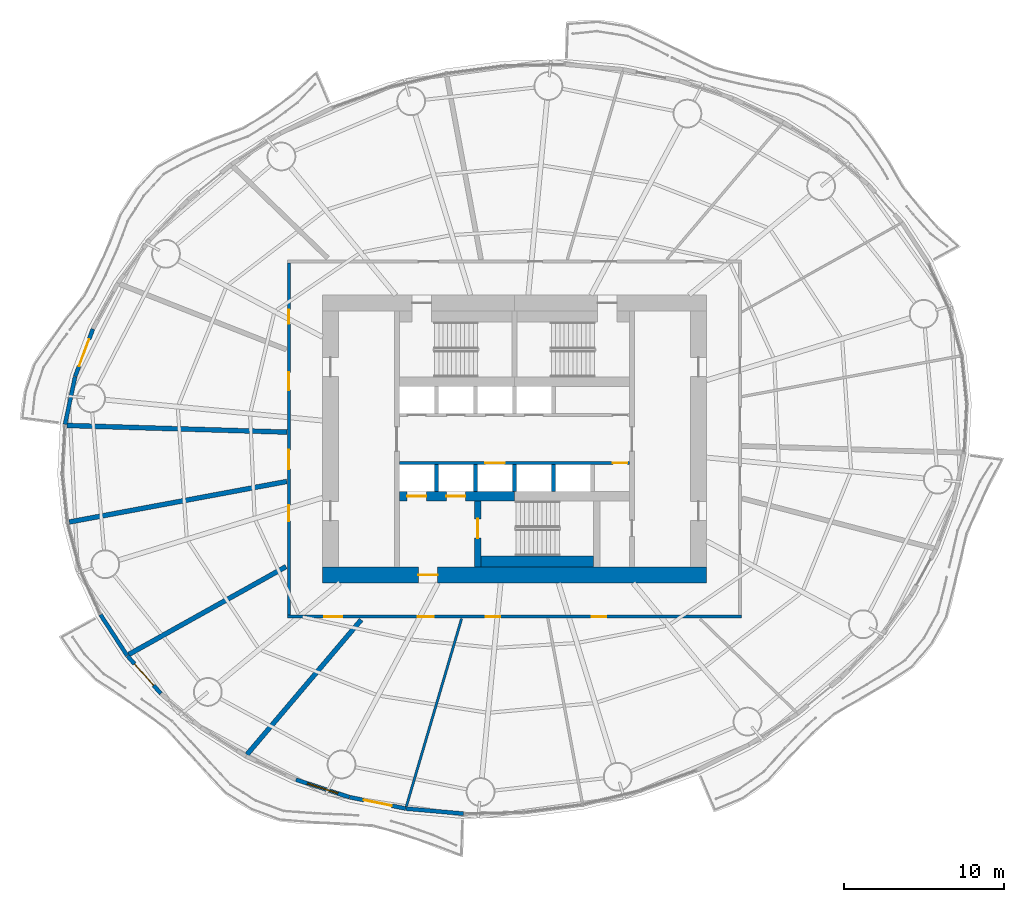
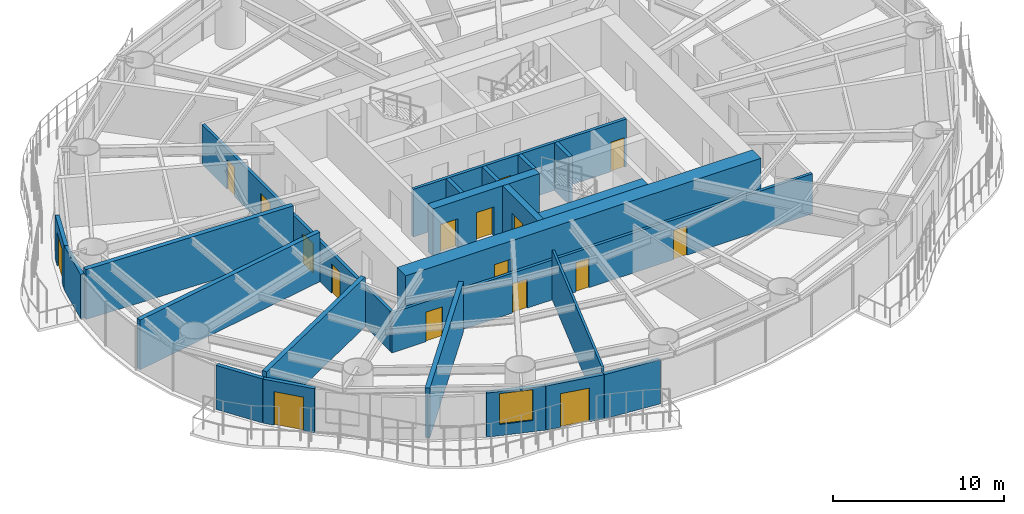
# One storey, part 8 of 17: 23 walls, 17 doors, 1 window, 18 openings.
"""IFC4 building model written with IfcOpenShell, lengths in metres."""

from ifc_helpers import new_model, si_unit, direction, frame, frame_2d, origin, place, context, subcontext, project, spatial, rectangle, extrude, material, layer, layer_set, type_object, element, fill, save


model = new_model("IFC4")

# Units and contexts
model_context = context("Model", 3, precision=1e-05, world=origin(), true_north=direction((0.0, 1.0)))
body_context = subcontext(model_context, "Body", "Model", "MODEL_VIEW")
ifc_project = project(units=[si_unit("LENGTHUNIT", "METRE"), si_unit("AREAUNIT", "SQUARE_METRE"), si_unit("VOLUMEUNIT", "CUBIC_METRE"), si_unit("PLANEANGLEUNIT", "RADIAN"), si_unit("MASSUNIT", "GRAM", prefix="KILO")], contexts=[model_context])

# Site, building, storey
site_placement = place(None, origin())
site = spatial("IfcSite", under=ifc_project, at=site_placement, CompositionType="ELEMENT")
building_placement = place(site_placement, origin())
building = spatial("IfcBuilding", under=site, at=building_placement, Name="Vermilion Reach Broadcast Tower", CompositionType="ELEMENT")
storey_placement = place(building_placement, frame((0.0, 0.0, 76.699951171875)))
storey = spatial("IfcBuildingStorey", under=building, at=storey_placement, Name="L16", CompositionType="ELEMENT", Elevation=76.699951171875)

# Wall, opening, door
ifc_material_1 = material(Name="Concrete C70", Category="concrete")
ifc_layer_1 = layer(ifc_material_1, 0.39990234375)
ifc_layer_set_1 = layer_set([ifc_layer_1], Name="Core inner wall 400 mm Concrete C70")
wall_type_1 = type_object("IfcWallType", Name="Core inner wall 400 mm Concrete C70", PredefinedType="SHEAR", material=ifc_layer_set_1)
wall_1_placement = place(storey_placement, frame((-8.300048828125, -3.8798828125, 0.0), z_axis=(0.0, 0.0, 1.0), x_axis=(0.0, -1.0, 0.0)))
wall_1 = element("IfcWall", 1, at=wall_1_placement, inside=storey, type_object=wall_type_1, Name="L16 core wall wa", PredefinedType="SHEAR", context=body_context, shape_type="SweptSolid", body=[
    extrude(rectangle(XDim=4.1201171875, YDim=0.39990234375, at=frame_2d((2.06005859375, 0.0))), origin(), (0.0, 0.0, 1.0), 3.400146484375),
])
opening_1_placement = place(wall_1_placement, frame((1.110107421875, 0.0, 0.0)))
opening_1 = element("IfcOpeningElement", 2, at=opening_1_placement, cuts=wall_1, Name="Opening D01", PredefinedType="OPENING", context=body_context, shape_type="SweptSolid", body=[
    extrude(rectangle(XDim=1.199951171875, YDim=2.10009765625, at=frame_2d((0.60009765625, 1.050048828125))), frame((0.0, 0.2099609375, 0.0), z_axis=(0.0, -1.0, 0.0), x_axis=(1.0, 0.0, 0.0)), (0.0, 0.0, 1.0), 0.419921875),
])
ifc_material_2 = material(Name="Painted steel fire door", Category="steel")
door_type_1 = type_object("IfcDoorType", Name="Stair door 1200 x 2100", OperationType="DOUBLE_DOOR_SINGLE_SWING", PredefinedType="NOTDEFINED", material=ifc_material_2)
door_1_placement = place(opening_1_placement, origin())
door_1 = element("IfcDoor", 3, at=door_1_placement, inside=storey, type_object=door_type_1, Name="L16 stair door ST3", OperationType="DOUBLE_DOOR_SINGLE_SWING", OverallHeight=2.10009765625, OverallWidth=1.199951171875, PredefinedType="NOTDEFINED", context=body_context, shape_type="SweptSolid", body=[
    extrude(rectangle(XDim=1.199951171875, YDim=2.10009765625, at=frame_2d((0.60009765625, 1.050048828125))), frame((0.0, 0.02490234375, 0.0), z_axis=(0.0, -1.0, 0.0), x_axis=(1.0, 0.0, 0.0)), (0.0, 0.0, 1.0), 0.050048828125),
])
fill(opening_1, door_1)

# Wall, openings, doors
ifc_material_3 = material(Name="Concrete C70", Category="concrete")
ifc_layer_2 = layer(ifc_material_3, 0.60009765625)
ifc_layer_set_2 = layer_set([ifc_layer_2], Name="Core inner wall 600 mm Concrete C70")
wall_type_2 = type_object("IfcWallType", Name="Core inner wall 600 mm Concrete C70", PredefinedType="SHEAR", material=ifc_layer_set_2)
wall_2_placement = place(storey_placement, frame((-13.199951171875, -3.580078125, 0.0), z_axis=(0.0, 0.0, 1.0), x_axis=(1.0, 0.0, 0.0)))
wall_2 = element("IfcWall", 4, at=wall_2_placement, inside=storey, type_object=wall_type_2, Name="L16 core wall wisW", PredefinedType="SHEAR", context=body_context, shape_type="SweptSolid", body=[
    extrude(rectangle(XDim=7.199951171875, YDim=0.60009765625, at=frame_2d((3.60009765625, 0.0))), origin(), (0.0, 0.0, 1.0), 3.400146484375),
])
opening_2_placement = place(wall_2_placement, frame((0.495849609375, 0.0, 0.0)))
opening_2 = element("IfcOpeningElement", 5, at=opening_2_placement, cuts=wall_2, Name="Opening LD1", PredefinedType="OPENING", context=body_context, shape_type="SweptSolid", body=[
    extrude(rectangle(XDim=1.199951171875, YDim=2.10009765625, at=frame_2d((0.60009765625, 1.050048828125))), frame((0.0, 0.31005859375, 0.0), z_axis=(0.0, -1.0, 0.0), x_axis=(1.0, 0.0, 0.0)), (0.0, 0.0, 1.0), 0.6201171875),
])
opening_3_placement = place(wall_2_placement, frame((2.9375, 0.0, 0.0)))
opening_3 = element("IfcOpeningElement", 6, at=opening_3_placement, cuts=wall_2, Name="Opening LD1", PredefinedType="OPENING", context=body_context, shape_type="SweptSolid", body=[
    extrude(rectangle(XDim=1.199951171875, YDim=2.10009765625, at=frame_2d((0.60009765625, 1.050048828125))), frame((0.0, 0.31005859375, 0.0), z_axis=(0.0, -1.0, 0.0), x_axis=(1.0, 0.0, 0.0)), (0.0, 0.0, 1.0), 0.6201171875),
])
ifc_material_4 = material(Name="Stainless steel", Category="steel")
door_type_2 = type_object("IfcDoorType", Name="Landing door 1200 x 2100", OperationType="DOUBLE_DOOR_SLIDING", PredefinedType="NOTDEFINED", material=ifc_material_4)
door_2_placement = place(opening_2_placement, origin())
door_2 = element("IfcDoor", 7, at=door_2_placement, inside=storey, type_object=door_type_2, Name="L16 landing door FF1", OperationType="DOUBLE_DOOR_SLIDING", OverallHeight=2.10009765625, OverallWidth=1.199951171875, PredefinedType="NOTDEFINED", context=body_context, shape_type="SweptSolid", body=[
    extrude(rectangle(XDim=1.199951171875, YDim=2.10009765625, at=frame_2d((0.60009765625, 1.050048828125))), frame((0.0, 0.02490234375, 0.0), z_axis=(0.0, -1.0, 0.0), x_axis=(1.0, 0.0, 0.0)), (0.0, 0.0, 1.0), 0.050048828125),
])
fill(opening_2, door_2)
door_3_placement = place(opening_3_placement, origin())
door_3 = element("IfcDoor", 8, at=door_3_placement, inside=storey, type_object=door_type_2, Name="L16 landing door FF2", OperationType="DOUBLE_DOOR_SLIDING", OverallHeight=2.10009765625, OverallWidth=1.199951171875, PredefinedType="NOTDEFINED", context=body_context, shape_type="SweptSolid", body=[
    extrude(rectangle(XDim=1.199951171875, YDim=2.10009765625, at=frame_2d((0.60009765625, 1.050048828125))), frame((0.0, 0.02490234375, 0.0), z_axis=(0.0, -1.0, 0.0), x_axis=(1.0, 0.0, 0.0)), (0.0, 0.0, 1.0), 0.050048828125),
])
fill(opening_3, door_3)

# Wall, opening, door
ifc_material_5 = material(Name="Concrete C70", Category="concrete")
ifc_layer_3 = layer(ifc_material_5, 1.0)
ifc_layer_set_3 = layer_set([ifc_layer_3], Name="Core outer wall 1000 mm Concrete C70")
wall_type_3 = type_object("IfcWallType", Name="Core outer wall 1000 mm Concrete C70", PredefinedType="SHEAR", material=ifc_layer_set_3)
wall_3_placement = place(storey_placement, frame((-18.0, -8.5, 0.0), z_axis=(0.0, 0.0, 1.0), x_axis=(1.0, 0.0, 0.0)))
wall_3 = element("IfcWall", 9, at=wall_3_placement, inside=storey, type_object=wall_type_3, Name="L16 core wall os", PredefinedType="SHEAR", context=body_context, shape_type="SweptSolid", body=[
    extrude(rectangle(XDim=24.0, YDim=1.0, at=frame_2d((12.0, 0.0))), origin(), (0.0, 0.0, 1.0), 3.400146484375),
])
opening_4_placement = place(wall_3_placement, frame((6.0, 0.0, 0.0)))
opening_4 = element("IfcOpeningElement", 10, at=opening_4_placement, cuts=wall_3, Name="Opening D02", PredefinedType="OPENING", context=body_context, shape_type="SweptSolid", body=[
    extrude(rectangle(XDim=1.199951171875, YDim=2.10009765625, at=frame_2d((0.60009765625, 1.050048828125))), frame((0.0, 0.510009765625, 0.0), z_axis=(0.0, -1.0, 0.0), x_axis=(1.0, 0.0, 0.0)), (0.0, 0.0, 1.0), 1.02001953125),
])
ifc_material_6 = material(Name="Painted steel fire door", Category="steel")
door_type_3 = type_object("IfcDoorType", Name="Firefighting lobby door 1200 x 2100", OperationType="DOUBLE_DOOR_SINGLE_SWING", PredefinedType="NOTDEFINED", material=ifc_material_6)
door_4_placement = place(opening_4_placement, origin())
door_4 = element("IfcDoor", 11, at=door_4_placement, inside=storey, type_object=door_type_3, Name="L16 ffdoor door FFL", OperationType="DOUBLE_DOOR_SINGLE_SWING", OverallHeight=2.10009765625, OverallWidth=1.199951171875, PredefinedType="NOTDEFINED", context=body_context, shape_type="SweptSolid", body=[
    extrude(rectangle(XDim=1.199951171875, YDim=2.10009765625, at=frame_2d((0.60009765625, 1.050048828125))), frame((0.0, 0.02490234375, 0.0), z_axis=(0.0, -1.0, 0.0), x_axis=(1.0, 0.0, 0.0)), (0.0, 0.0, 1.0), 0.050048828125),
])
fill(opening_4, door_4)

# Wall, openings, doors
ifc_material_7 = material(Name="Concrete C50", Category="concrete")
ifc_layer_4 = layer(ifc_material_7, 0.199951171875)
ifc_layer_set_4 = layer_set([ifc_layer_4], Name="Core shaft wall 200 mm Concrete C50")
wall_type_4 = type_object("IfcWallType", Name="Core shaft wall 200 mm Concrete C50", PredefinedType="SHEAR", material=ifc_layer_set_4)
wall_4_placement = place(storey_placement, frame((1.199951171875, -1.5, 0.0), z_axis=(0.0, 0.0, 1.0), x_axis=(-1.0, 0.0, 0.0)))
wall_4 = element("IfcWall", 12, at=wall_4_placement, inside=storey, type_object=wall_type_4, Name="L16 core wall fs", PredefinedType="SHEAR", context=body_context, shape_type="SweptSolid", body=[
    extrude(rectangle(XDim=14.39990234375, YDim=0.199951171875, at=frame_2d((7.199951171875, 0.0))), origin(), (0.0, 0.0, 1.0), 3.400146484375),
])
opening_5_placement = place(wall_4_placement, frame((7.82080078125, 0.0, 0.0)))
opening_5 = element("IfcOpeningElement", 13, at=opening_5_placement, cuts=wall_4, Name="Opening LD1", PredefinedType="OPENING", context=body_context, shape_type="SweptSolid", body=[
    extrude(rectangle(XDim=1.199951171875, YDim=2.10009765625, at=frame_2d((0.60009765625, 1.050048828125))), frame((0.0, 0.10986328125, 0.0), z_axis=(0.0, -1.0, 0.0), x_axis=(1.0, 0.0, 0.0)), (0.0, 0.0, 1.0), 0.219970703125),
])
opening_6_placement = place(wall_4_placement, frame((0.14990234375, 0.0, 0.0)))
opening_6 = element("IfcOpeningElement", 14, at=opening_6_placement, cuts=wall_4, Name="Opening D06", PredefinedType="OPENING", context=body_context, shape_type="SweptSolid", body=[
    extrude(rectangle(XDim=0.89990234375, YDim=2.10009765625, at=frame_2d((0.449951171875, 1.050048828125))), frame((0.0, 0.10986328125, 0.0), z_axis=(0.0, -1.0, 0.0), x_axis=(1.0, 0.0, 0.0)), (0.0, 0.0, 1.0), 0.219970703125),
])
door_5_placement = place(opening_5_placement, origin())
door_5 = element("IfcDoor", 15, at=door_5_placement, inside=storey, type_object=door_type_2, Name="L16 landing door SV1", OperationType="DOUBLE_DOOR_SLIDING", OverallHeight=2.10009765625, OverallWidth=1.199951171875, PredefinedType="NOTDEFINED", context=body_context, shape_type="SweptSolid", body=[
    extrude(rectangle(XDim=1.199951171875, YDim=2.10009765625, at=frame_2d((0.60009765625, 1.050048828125))), frame((0.0, 0.02490234375, 0.0), z_axis=(0.0, -1.0, 0.0), x_axis=(1.0, 0.0, 0.0)), (0.0, 0.0, 1.0), 0.050048828125),
])
fill(opening_5, door_5)
ifc_material_8 = material(Name="Timber door", Category="wood")
door_type_4 = type_object("IfcDoorType", Name="WC door 900 x 2100", OperationType="NOTDEFINED", PredefinedType="NOTDEFINED", material=ifc_material_8)
door_6_placement = place(opening_6_placement, origin())
door_6 = element("IfcDoor", 16, at=door_6_placement, inside=storey, type_object=door_type_4, Name="L16 door Male WC", OperationType="SINGLE_SWING_LEFT", OverallHeight=2.10009765625, OverallWidth=0.89990234375, PredefinedType="NOTDEFINED", context=body_context, shape_type="SweptSolid", body=[
    extrude(rectangle(XDim=0.89990234375, YDim=2.10009765625, at=frame_2d((0.449951171875, 1.050048828125))), frame((0.0, 0.02490234375, 0.0), z_axis=(0.0, -1.0, 0.0), x_axis=(1.0, 0.0, 0.0)), (0.0, 0.0, 1.0), 0.050048828125),
])
fill(opening_6, door_6)

# Walls
ifc_material_9 = material(Name="Concrete C50", Category="concrete")
ifc_layer_5 = layer(ifc_material_9, 0.25)
ifc_layer_set_5 = layer_set([ifc_layer_5], Name="Core shaft wall 250 mm Concrete C50")
wall_type_5 = type_object("IfcWallType", Name="Core shaft wall 250 mm Concrete C50", PredefinedType="SHEAR", material=ifc_layer_set_5)
for number, where, z_axis, x_axis, name in (
    (17, (-10.88330078125, -1.60009765625, 0.0), (0.0, 0.0, 1.0), (0.0, -1.0, 0.0), "L16 core wall psS0"),
    (18, (-8.441650390625, -1.60009765625, 0.0), (0.0, 0.0, 1.0), (0.0, -1.0, 0.0), "L16 core wall psS1"),
    (19, (-6.0, -1.60009765625, 0.0), (0.0, 0.0, 1.0), (0.0, -1.0, 0.0), "L16 core wall psS2"),
    (20, (-3.558349609375, -1.60009765625, 0.0), (0.0, 0.0, 1.0), (0.0, -1.0, 0.0), "L16 core wall psS3"),
):
    element("IfcWall", number, at=place(storey_placement, frame(where, z_axis=z_axis, x_axis=x_axis)), inside=storey, type_object=wall_type_5, Name=name, PredefinedType="SHEAR", context=body_context, shape_type="SweptSolid", body=[
        extrude(rectangle(XDim=1.679931640625, YDim=0.25, at=frame_2d((0.83984375, 0.0))), origin(), (0.0, 0.0, 1.0), 3.400146484375),
    ])
ifc_material_10 = material(Name="Concrete C70", Category="concrete")
ifc_layer_6 = layer(ifc_material_10, 0.699951171875)
ifc_layer_set_6 = layer_set([ifc_layer_6], Name="Core stair wall 700 mm Concrete C70")
wall_type_6 = type_object("IfcWallType", Name="Core stair wall 700 mm Concrete C70", PredefinedType="SHEAR", material=ifc_layer_set_6)
wall_5_placement = place(storey_placement, frame((-8.10009765625, -7.64990234375, 0.0), z_axis=(0.0, 0.0, 1.0), x_axis=(1.0, 0.0, 0.0)))
element("IfcWall", 21, at=wall_5_placement, inside=storey, type_object=wall_type_6, Name="L16 core wall l3", PredefinedType="SHEAR", context=body_context, shape_type="SweptSolid", body=[
    extrude(rectangle(XDim=7.050048828125, YDim=0.699951171875, at=frame_2d((3.52490234375, 0.0))), origin(), (0.0, 0.0, 1.0), 3.400146484375),
])
ifc_material_11 = material(Name="Lightweight concrete block, plastered", Category="concrete")
ifc_layer_7 = layer(ifc_material_11, 0.14990234375)
ifc_layer_set_7 = layer_set([ifc_layer_7], Name="Partition 150 lightweight block")
wall_type_7 = type_object("IfcWallType", Name="Partition 150 lightweight block", PredefinedType="PARTITIONING", material=ifc_layer_set_7)
wall_6_placement = place(storey_placement, frame((-12.76171875, -22.976318359375, 0.0), z_axis=(0.0, 0.0, 1.0), x_axis=(0.282322729793, 0.959319486012, 0.0)))
element("IfcWall", 22, at=wall_6_placement, inside=storey, type_object=wall_type_7, Name="Partition 16.12", PredefinedType="PARTITIONING", context=body_context, shape_type="SweptSolid", body=[
    extrude(rectangle(XDim=12.253662109375, YDim=0.14990234375, at=frame_2d((6.126953125, 0.0))), origin(), (0.0, 0.0, 1.0), 3.550048828125),
])
ifc_material_12 = material(Name="Double-leaf plasterboard on isolated steel stud", Category="steel")
ifc_layer_8 = layer(ifc_material_12, 0.300048828125)
ifc_layer_set_8 = layer_set([ifc_layer_8], Name="Partition 300 acoustic double leaf")
wall_type_8 = type_object("IfcWallType", Name="Partition 300 acoustic double leaf", PredefinedType="PARTITIONING", material=ifc_layer_set_8)
wall_7_placement = place(storey_placement, frame((-33.976318359375, 0.848388671875, 0.0), z_axis=(0.0, 0.0, 1.0), x_axis=(0.999540837696, -0.030300392357, 0.0)))
element("IfcWall", 23, at=wall_7_placement, inside=storey, type_object=wall_type_8, Name="Partition 16.08", PredefinedType="PARTITIONING", context=body_context, shape_type="SweptSolid", body=[
    extrude(rectangle(XDim=13.778076171875, YDim=0.300048828125, at=frame_2d((6.88916015625, 0.0))), origin(), (0.0, 0.0, 1.0), 3.550048828125),
])
wall_8_placement = place(storey_placement, frame((-33.825439453125, -5.187255859375, 0.0), z_axis=(0.0, 0.0, 1.0), x_axis=(0.983064071825, 0.183262191101, 0.0)))
element("IfcWall", 24, at=wall_8_placement, inside=storey, type_object=wall_type_8, Name="Partition 16.09", PredefinedType="PARTITIONING", context=body_context, shape_type="SweptSolid", body=[
    extrude(rectangle(XDim=13.832275390625, YDim=0.300048828125, at=frame_2d((6.916015625, 0.0))), origin(), (0.0, 0.0, 1.0), 3.550048828125),
])
wall_9_placement = place(storey_placement, frame((-30.1044921875, -13.463134765625, 0.0), z_axis=(0.0, 0.0, 1.0), x_axis=(0.87304746241, 0.487635241117, 0.0)))
element("IfcWall", 25, at=wall_9_placement, inside=storey, type_object=wall_type_8, Name="Partition 16.10", PredefinedType="PARTITIONING", context=body_context, shape_type="SweptSolid", body=[
    extrude(rectangle(XDim=11.260986328125, YDim=0.300048828125, at=frame_2d((5.63037109375, 0.0))), origin(), (0.0, 0.0, 1.0), 3.550048828125),
])
wall_10_placement = place(storey_placement, frame((-22.715576171875, -19.715576171875, 0.0), z_axis=(0.0, 0.0, 1.0), x_axis=(0.646701478122, 0.762743205931, 0.0)))
element("IfcWall", 26, at=wall_10_placement, inside=storey, type_object=wall_type_8, Name="Partition 16.11", PredefinedType="PARTITIONING", context=body_context, shape_type="SweptSolid", body=[
    extrude(rectangle(XDim=11.037109375, YDim=0.300048828125, at=frame_2d((5.5185546875, 0.0))), origin(), (0.0, 0.0, 1.0), 3.550048828125),
])

# Wall, opening, door
ifc_material_13 = material(Name="Terracotta rainscreen cladding", Category="masonry")
ifc_layer_9 = layer(ifc_material_13, 0.25)
ifc_layer_set_9 = layer_set([ifc_layer_9], Name="Terracotta rainscreen wall 250")
wall_type_9 = type_object("IfcWallType", Name="Terracotta rainscreen wall 250", PredefinedType="SOLIDWALL", material=ifc_layer_set_9)
wall_11_placement = place(storey_placement, frame((-32.348388671875, 6.875, 0.0), z_axis=(0.0, 0.0, 1.0), x_axis=(-0.349935355695, -0.936773850422, 0.0)))
wall_11 = element("IfcWall", 27, at=wall_11_placement, inside=storey, type_object=wall_type_9, Name="External wall L16 20", PredefinedType="SOLIDWALL", context=body_context, shape_type="SweptSolid", body=[
    extrude(rectangle(XDim=3.153564453125, YDim=0.25, at=frame_2d((1.57666015625, 0.0))), origin(), (0.0, 0.0, 1.0), 3.150146484375),
])
opening_7_placement = place(wall_11_placement, frame((0.677001953125, 0.0, 0.0)))
opening_7 = element("IfcOpeningElement", 28, at=opening_7_placement, cuts=wall_11, Name="Opening D70", PredefinedType="OPENING", context=body_context, shape_type="SweptSolid", body=[
    extrude(rectangle(XDim=1.800048828125, YDim=2.39990234375, at=frame_2d((0.89990234375, 1.199951171875))), frame((0.0, 0.135009765625, 0.0), z_axis=(0.0, -1.0, 0.0), x_axis=(1.0, 0.0, 0.0)), (0.0, 0.0, 1.0), 0.27001953125),
])
ifc_material_14 = material(Name="Low-e laminated clear glass in aluminium frame", Category="aluminium")
door_type_5 = type_object("IfcDoorType", Name="Balcony sliding door 1800 x 2400", OperationType="DOUBLE_DOOR_SLIDING", PredefinedType="DOOR", material=ifc_material_14)
door_7_placement = place(opening_7_placement, origin())
door_7 = element("IfcDoor", 29, at=door_7_placement, inside=storey, type_object=door_type_5, Name="Balcony door L16 run 05", OperationType="DOUBLE_DOOR_SLIDING", OverallHeight=2.39990234375, OverallWidth=1.800048828125, PredefinedType="DOOR", context=body_context, shape_type="SweptSolid", body=[
    extrude(rectangle(XDim=1.800048828125, YDim=2.39990234375, at=frame_2d((0.89990234375, 1.199951171875))), frame((0.0, 0.02490234375, 0.0), z_axis=(0.0, -1.0, 0.0), x_axis=(1.0, 0.0, 0.0)), (0.0, 0.0, 1.0), 0.050048828125),
])
fill(opening_7, door_7)

# Walls
for number, where, z_axis, x_axis, name in (
    (30, (-33.459228515625, 3.895263671875, 0.0), (0.0, 0.0, 1.0), (-0.206952682713, -0.97835095294, 0.0), "External wall L16 21"),
    (31, (-31.87109375, -10.97802734375, 0.0), (0.0, 0.0, 1.0), (0.545574882471, -0.838062078618, 0.0), "External wall L16 26"),
):
    element("IfcWall", number, at=place(storey_placement, frame(where, z_axis=z_axis, x_axis=x_axis)), inside=storey, type_object=wall_type_9, Name=name, PredefinedType="SOLIDWALL", context=body_context, shape_type="SweptSolid", body=[
        extrude(rectangle(XDim=3.04248046875, YDim=0.25, at=frame_2d((1.521240234375, 0.0))), origin(), (0.0, 0.0, 1.0), 3.150146484375),
    ])

# Wall, opening, door
wall_12_placement = place(storey_placement, frame((-30.195068359375, -13.549072265625, 0.0), z_axis=(0.0, 0.0, 1.0), x_axis=(0.663940867432, -0.747785079119, 0.0)))
wall_12 = element("IfcWall", 32, at=wall_12_placement, inside=storey, type_object=wall_type_9, Name="External wall L16 27", PredefinedType="SOLIDWALL", context=body_context, shape_type="SweptSolid", body=[
    extrude(rectangle(XDim=3.153564453125, YDim=0.25, at=frame_2d((1.57666015625, 0.0))), origin(), (0.0, 0.0, 1.0), 3.150146484375),
])
opening_8_placement = place(wall_12_placement, frame((0.677001953125, 0.0, 0.0)))
opening_8 = element("IfcOpeningElement", 33, at=opening_8_placement, cuts=wall_12, Name="Opening D70", PredefinedType="OPENING", context=body_context, shape_type="SweptSolid", body=[
    extrude(rectangle(XDim=1.800048828125, YDim=2.39990234375, at=frame_2d((0.89990234375, 1.199951171875))), frame((0.0, 0.135009765625, 0.0), z_axis=(0.0, -1.0, 0.0), x_axis=(1.0, 0.0, 0.0)), (0.0, 0.0, 1.0), 0.27001953125),
])
door_8_placement = place(opening_8_placement, origin())
door_8 = element("IfcDoor", 34, at=door_8_placement, inside=storey, type_object=door_type_5, Name="Balcony door L16 run 07", OperationType="DOUBLE_DOOR_SLIDING", OverallHeight=2.39990234375, OverallWidth=1.800048828125, PredefinedType="DOOR", context=body_context, shape_type="SweptSolid", body=[
    extrude(rectangle(XDim=1.800048828125, YDim=2.39990234375, at=frame_2d((0.89990234375, 1.199951171875))), frame((0.0, 0.02490234375, 0.0), z_axis=(0.0, -1.0, 0.0), x_axis=(1.0, 0.0, 0.0)), (0.0, 0.0, 1.0), 0.050048828125),
])
fill(opening_8, door_8)

# Wall, opening, window
wall_13_placement = place(storey_placement, frame((-19.64892578125, -21.291259765625, 0.0), z_axis=(0.0, 0.0, 1.0), x_axis=(0.950294453708, -0.311352615617, 0.0)))
wall_13 = element("IfcWall", 35, at=wall_13_placement, inside=storey, type_object=wall_type_9, Name="External wall L16 31", PredefinedType="SOLIDWALL", context=body_context, shape_type="SweptSolid", body=[
    extrude(rectangle(XDim=3.50341796875, YDim=0.25, at=frame_2d((1.751708984375, 0.0))), origin(), (0.0, 0.0, 1.0), 3.150146484375),
])
opening_9_placement = place(wall_13_placement, frame((0.751953125, 0.0, 0.800048828125)))
opening_9 = element("IfcOpeningElement", 36, at=opening_9_placement, cuts=wall_13, Name="Opening W01", PredefinedType="OPENING", context=body_context, shape_type="SweptSolid", body=[
    extrude(rectangle(XDim=2.0, YDim=2.199951171875, at=frame_2d((1.0, 1.10009765625))), frame((0.0, 0.135009765625, 0.0), z_axis=(0.0, -1.0, 0.0), x_axis=(1.0, 0.0, 0.0)), (0.0, 0.0, 1.0), 0.27001953125),
])
ifc_material_15 = material(Name="Low-e laminated clear glass in aluminium frame", Category="aluminium")
window_type = type_object("IfcWindowType", Name="Punched window 2000 x 2200 sill 800", PartitioningType="SINGLE_PANEL", PredefinedType="WINDOW", material=ifc_material_15)
window_placement = place(opening_9_placement, origin())
window = element("IfcWindow", 37, at=window_placement, inside=storey, type_object=window_type, Name="Window L16 31", OverallHeight=2.199951171875, OverallWidth=2.0, PartitioningType="SINGLE_PANEL", PredefinedType="WINDOW", context=body_context, shape_type="SweptSolid", body=[
    extrude(rectangle(XDim=2.0, YDim=2.199951171875, at=frame_2d((1.0, 1.10009765625))), frame((0.0, 0.030029296875, 0.0), z_axis=(0.0, -1.0, 0.0), x_axis=(1.0, 0.0, 0.0)), (0.0, 0.0, 1.0), 0.06005859375),
])
fill(opening_9, window)

# Wall, opening, door
wall_14_placement = place(storey_placement, frame((-16.297607421875, -22.387939453125, 0.0), z_axis=(0.0, 0.0, 1.0), x_axis=(0.980121435031, -0.198398519635, 0.0)))
wall_14 = element("IfcWall", 38, at=wall_14_placement, inside=storey, type_object=wall_type_9, Name="External wall L16 32", PredefinedType="SOLIDWALL", context=body_context, shape_type="SweptSolid", body=[
    extrude(rectangle(XDim=3.578369140625, YDim=0.25, at=frame_2d((1.7890625, 0.0))), origin(), (0.0, 0.0, 1.0), 3.150146484375),
])
opening_10_placement = place(wall_14_placement, frame((0.888916015625, 0.0, 0.0)))
opening_10 = element("IfcOpeningElement", 39, at=opening_10_placement, cuts=wall_14, Name="Opening D70", PredefinedType="OPENING", context=body_context, shape_type="SweptSolid", body=[
    extrude(rectangle(XDim=1.800048828125, YDim=2.39990234375, at=frame_2d((0.89990234375, 1.199951171875))), frame((0.0, 0.135009765625, 0.0), z_axis=(0.0, -1.0, 0.0), x_axis=(1.0, 0.0, 0.0)), (0.0, 0.0, 1.0), 0.27001953125),
])
door_9_placement = place(opening_10_placement, origin())
door_9 = element("IfcDoor", 40, at=door_9_placement, inside=storey, type_object=door_type_5, Name="Balcony door L16 run 08", OperationType="DOUBLE_DOOR_SLIDING", OverallHeight=2.39990234375, OverallWidth=1.800048828125, PredefinedType="DOOR", context=body_context, shape_type="SweptSolid", body=[
    extrude(rectangle(XDim=1.800048828125, YDim=2.39990234375, at=frame_2d((0.89990234375, 1.199951171875))), frame((0.0, 0.02490234375, 0.0), z_axis=(0.0, -1.0, 0.0), x_axis=(1.0, 0.0, 0.0)), (0.0, 0.0, 1.0), 0.050048828125),
])
fill(opening_10, door_9)

# Wall
wall_15_placement = place(storey_placement, frame((-12.768310546875, -23.10107421875, 0.0), z_axis=(0.0, 0.0, 1.0), x_axis=(0.996218891736, -0.086878764662, 0.0)))
element("IfcWall", 41, at=wall_15_placement, inside=storey, type_object=wall_type_9, Name="External wall L16 33", PredefinedType="SOLIDWALL", context=body_context, shape_type="SweptSolid", body=[
    extrude(rectangle(XDim=3.59423828125, YDim=0.25, at=frame_2d((1.797119140625, 0.0))), origin(), (0.0, 0.0, 1.0), 3.150146484375),
])

# Wall, openings, doors
ifc_material_16 = material(Name="Fire-rated gypsum board partition")
ifc_layer_10 = layer(ifc_material_16, 0.199951171875)
ifc_layer_set_10 = layer_set([ifc_layer_10], Name="Under girder: Corridor wall 200 fire-rated")
wall_type_10 = type_object("IfcWallType", Name="Under girder: Corridor wall 200 fire-rated", PredefinedType="PARTITIONING", material=ifc_layer_set_10)
wall_16_placement = place(storey_placement, frame((8.199951171875, -11.10009765625, 0.0), z_axis=(0.0, 0.0, 1.0), x_axis=(-1.0, 0.0, 0.0)))
wall_16 = element("IfcWall", 42, at=wall_16_placement, inside=storey, type_object=wall_type_10, Name="Corridor wall 16.S", PredefinedType="PARTITIONING", context=body_context, shape_type="SweptSolid", body=[
    extrude(rectangle(XDim=28.39990234375, YDim=0.199951171875, at=frame_2d((14.199951171875, 0.0))), origin(), (0.0, 0.0, 1.0), 2.85009765625),
])
opening_11_placement = place(wall_16_placement, frame((24.97705078125, 0.0, 0.0)))
opening_11 = element("IfcOpeningElement", 43, at=opening_11_placement, cuts=wall_16, Name="Opening D28", PredefinedType="OPENING", context=body_context, shape_type="SweptSolid", body=[
    extrude(rectangle(XDim=1.10009765625, YDim=2.10009765625, at=frame_2d((0.550048828125, 1.050048828125))), frame((0.0, 0.10986328125, 0.0), z_axis=(0.0, -1.0, 0.0), x_axis=(1.0, 0.0, 0.0)), (0.0, 0.0, 1.0), 0.219970703125),
])
opening_12_placement = place(wall_16_placement, frame((19.255859375, 0.0, 0.0)))
opening_12 = element("IfcOpeningElement", 44, at=opening_12_placement, cuts=wall_16, Name="Opening D20", PredefinedType="OPENING", context=body_context, shape_type="SweptSolid", body=[
    extrude(rectangle(XDim=1.0, YDim=2.10009765625, at=frame_2d((0.5, 1.050048828125))), frame((0.0, 0.10986328125, 0.0), z_axis=(0.0, -1.0, 0.0), x_axis=(1.0, 0.0, 0.0)), (0.0, 0.0, 1.0), 0.219970703125),
])
opening_13_placement = place(wall_16_placement, frame((15.080810546875, 0.0, 0.0)))
opening_13 = element("IfcOpeningElement", 45, at=opening_13_placement, cuts=wall_16, Name="Opening D22", PredefinedType="OPENING", context=body_context, shape_type="SweptSolid", body=[
    extrude(rectangle(XDim=0.89990234375, YDim=2.10009765625, at=frame_2d((0.449951171875, 1.050048828125))), frame((0.0, 0.10986328125, 0.0), z_axis=(0.0, -1.0, 0.0), x_axis=(1.0, 0.0, 0.0)), (0.0, 0.0, 1.0), 0.219970703125),
])
opening_14_placement = place(wall_16_placement, frame((8.4716796875, 0.0, 0.0)))
opening_14 = element("IfcOpeningElement", 46, at=opening_14_placement, cuts=wall_16, Name="Opening D22", PredefinedType="OPENING", context=body_context, shape_type="SweptSolid", body=[
    extrude(rectangle(XDim=0.89990234375, YDim=2.10009765625, at=frame_2d((0.449951171875, 1.050048828125))), frame((0.0, 0.10986328125, 0.0), z_axis=(0.0, -1.0, 0.0), x_axis=(1.0, 0.0, 0.0)), (0.0, 0.0, 1.0), 0.219970703125),
])
ifc_material_17 = material(Name="Timber door leaf", Category="wood")
door_type_6 = type_object("IfcDoorType", Name="Door single 1000x2100", OperationType="NOTDEFINED", PredefinedType="DOOR", material=ifc_material_17)
door_10_placement = place(opening_12_placement, origin())
door_10 = element("IfcDoor", 47, at=door_10_placement, inside=storey, type_object=door_type_6, Name="Door 16.11", OperationType="SINGLE_SWING_LEFT", OverallHeight=2.10009765625, OverallWidth=1.0, PredefinedType="DOOR", context=body_context, shape_type="SweptSolid", body=[
    extrude(rectangle(XDim=1.0, YDim=2.10009765625, at=frame_2d((0.5, 1.050048828125))), frame((0.0, 0.02490234375, 0.0), z_axis=(0.0, -1.0, 0.0), x_axis=(1.0, 0.0, 0.0)), (0.0, 0.0, 1.0), 0.050048828125),
])
fill(opening_12, door_10)
ifc_material_18 = material(Name="Acoustic sound-lock door leaf")
door_type_7 = type_object("IfcDoorType", Name="Door single 1100x2100", OperationType="NOTDEFINED", PredefinedType="DOOR", material=ifc_material_18)
door_11_placement = place(opening_11_placement, origin())
door_11 = element("IfcDoor", 48, at=door_11_placement, inside=storey, type_object=door_type_7, Name="Door 16.10", OperationType="SINGLE_SWING_LEFT", OverallHeight=2.10009765625, OverallWidth=1.10009765625, PredefinedType="DOOR", context=body_context, shape_type="SweptSolid", body=[
    extrude(rectangle(XDim=1.10009765625, YDim=2.10009765625, at=frame_2d((0.550048828125, 1.050048828125))), frame((0.0, 0.02490234375, 0.0), z_axis=(0.0, -1.0, 0.0), x_axis=(1.0, 0.0, 0.0)), (0.0, 0.0, 1.0), 0.050048828125),
])
fill(opening_11, door_11)
ifc_material_19 = material(Name="Timber door leaf", Category="wood")
door_type_8 = type_object("IfcDoorType", Name="Door single 900x2100", OperationType="NOTDEFINED", PredefinedType="DOOR", material=ifc_material_19)
door_12_placement = place(opening_13_placement, origin())
door_12 = element("IfcDoor", 49, at=door_12_placement, inside=storey, type_object=door_type_8, Name="Door 16.12", OperationType="SINGLE_SWING_RIGHT", OverallHeight=2.10009765625, OverallWidth=0.89990234375, PredefinedType="DOOR", context=body_context, shape_type="SweptSolid", body=[
    extrude(rectangle(XDim=0.89990234375, YDim=2.10009765625, at=frame_2d((0.449951171875, 1.050048828125))), frame((0.0, 0.02490234375, 0.0), z_axis=(0.0, -1.0, 0.0), x_axis=(1.0, 0.0, 0.0)), (0.0, 0.0, 1.0), 0.050048828125),
])
fill(opening_13, door_12)
door_13_placement = place(opening_14_placement, origin())
door_13 = element("IfcDoor", 50, at=door_13_placement, inside=storey, type_object=door_type_8, Name="Door 16.13", OperationType="SINGLE_SWING_RIGHT", OverallHeight=2.10009765625, OverallWidth=0.89990234375, PredefinedType="DOOR", context=body_context, shape_type="SweptSolid", body=[
    extrude(rectangle(XDim=0.89990234375, YDim=2.10009765625, at=frame_2d((0.449951171875, 1.050048828125))), frame((0.0, 0.02490234375, 0.0), z_axis=(0.0, -1.0, 0.0), x_axis=(1.0, 0.0, 0.0)), (0.0, 0.0, 1.0), 0.050048828125),
])
fill(opening_14, door_13)

wall_17_placement = place(storey_placement, frame((-20.10009765625, -11.0, 0.0), z_axis=(0.0, 0.0, 1.0), x_axis=(0.0, 1.0, 0.0)))
wall_17 = element("IfcWall", 51, at=wall_17_placement, inside=storey, type_object=wall_type_10, Name="Corridor wall 16.W", PredefinedType="PARTITIONING", context=body_context, shape_type="SweptSolid", body=[
    extrude(rectangle(XDim=22.0, YDim=0.199951171875, at=frame_2d((11.0, 0.0))), origin(), (0.0, 0.0, 1.0), 2.85009765625),
])
opening_15_placement = place(wall_17_placement, frame((18.190673828125, 0.0, 0.0)))
opening_15 = element("IfcOpeningElement", 52, at=opening_15_placement, cuts=wall_17, Name="Opening D22", PredefinedType="OPENING", context=body_context, shape_type="SweptSolid", body=[
    extrude(rectangle(XDim=0.89990234375, YDim=2.10009765625, at=frame_2d((0.449951171875, 1.050048828125))), frame((0.0, 0.10986328125, 0.0), z_axis=(0.0, -1.0, 0.0), x_axis=(1.0, 0.0, 0.0)), (0.0, 0.0, 1.0), 0.219970703125),
])
opening_16_placement = place(wall_17_placement, frame((14.059814453125, 0.0, 0.0)))
opening_16 = element("IfcOpeningElement", 53, at=opening_16_placement, cuts=wall_17, Name="Opening D28", PredefinedType="OPENING", context=body_context, shape_type="SweptSolid", body=[
    extrude(rectangle(XDim=1.10009765625, YDim=2.10009765625, at=frame_2d((0.550048828125, 1.050048828125))), frame((0.0, 0.10986328125, 0.0), z_axis=(0.0, -1.0, 0.0), x_axis=(1.0, 0.0, 0.0)), (0.0, 0.0, 1.0), 0.219970703125),
])
opening_17_placement = place(wall_17_placement, frame((9.1162109375, 0.0, 0.0)))
opening_17 = element("IfcOpeningElement", 54, at=opening_17_placement, cuts=wall_17, Name="Opening D26", PredefinedType="OPENING", context=body_context, shape_type="SweptSolid", body=[
    extrude(rectangle(XDim=1.199951171875, YDim=2.10009765625, at=frame_2d((0.60009765625, 1.050048828125))), frame((0.0, 0.10986328125, 0.0), z_axis=(0.0, -1.0, 0.0), x_axis=(1.0, 0.0, 0.0)), (0.0, 0.0, 1.0), 0.219970703125),
])
opening_18_placement = place(wall_17_placement, frame((5.86767578125, 0.0, 0.0)))
opening_18 = element("IfcOpeningElement", 55, at=opening_18_placement, cuts=wall_17, Name="Opening D20", PredefinedType="OPENING", context=body_context, shape_type="SweptSolid", body=[
    extrude(rectangle(XDim=1.0, YDim=2.10009765625, at=frame_2d((0.5, 1.050048828125))), frame((0.0, 0.10986328125, 0.0), z_axis=(0.0, -1.0, 0.0), x_axis=(1.0, 0.0, 0.0)), (0.0, 0.0, 1.0), 0.219970703125),
])
door_14_placement = place(opening_18_placement, origin())
door_14 = element("IfcDoor", 56, at=door_14_placement, inside=storey, type_object=door_type_6, Name="Door 16.09", OperationType="SINGLE_SWING_RIGHT", OverallHeight=2.10009765625, OverallWidth=1.0, PredefinedType="DOOR", context=body_context, shape_type="SweptSolid", body=[
    extrude(rectangle(XDim=1.0, YDim=2.10009765625, at=frame_2d((0.5, 1.050048828125))), frame((0.0, 0.02490234375, 0.0), z_axis=(0.0, -1.0, 0.0), x_axis=(1.0, 0.0, 0.0)), (0.0, 0.0, 1.0), 0.050048828125),
])
fill(opening_18, door_14)
door_15_placement = place(opening_16_placement, origin())
door_15 = element("IfcDoor", 57, at=door_15_placement, inside=storey, type_object=door_type_7, Name="Door 16.07", OperationType="SINGLE_SWING_RIGHT", OverallHeight=2.10009765625, OverallWidth=1.10009765625, PredefinedType="DOOR", context=body_context, shape_type="SweptSolid", body=[
    extrude(rectangle(XDim=1.10009765625, YDim=2.10009765625, at=frame_2d((0.550048828125, 1.050048828125))), frame((0.0, 0.02490234375, 0.0), z_axis=(0.0, -1.0, 0.0), x_axis=(1.0, 0.0, 0.0)), (0.0, 0.0, 1.0), 0.050048828125),
])
fill(opening_16, door_15)
ifc_material_20 = material(Name="Acoustic timber door leaf", Category="wood")
door_type_9 = type_object("IfcDoorType", Name="Door single 1200x2100", OperationType="NOTDEFINED", PredefinedType="DOOR", material=ifc_material_20)
door_16_placement = place(opening_17_placement, origin())
door_16 = element("IfcDoor", 58, at=door_16_placement, inside=storey, type_object=door_type_9, Name="Door 16.08", OperationType="SINGLE_SWING_LEFT", OverallHeight=2.10009765625, OverallWidth=1.199951171875, PredefinedType="DOOR", context=body_context, shape_type="SweptSolid", body=[
    extrude(rectangle(XDim=1.199951171875, YDim=2.10009765625, at=frame_2d((0.60009765625, 1.050048828125))), frame((0.0, 0.02490234375, 0.0), z_axis=(0.0, -1.0, 0.0), x_axis=(1.0, 0.0, 0.0)), (0.0, 0.0, 1.0), 0.050048828125),
])
fill(opening_17, door_16)
door_17_placement = place(opening_15_placement, origin())
door_17 = element("IfcDoor", 59, at=door_17_placement, inside=storey, type_object=door_type_8, Name="Door 16.06", OperationType="SINGLE_SWING_LEFT", OverallHeight=2.10009765625, OverallWidth=0.89990234375, PredefinedType="DOOR", context=body_context, shape_type="SweptSolid", body=[
    extrude(rectangle(XDim=0.89990234375, YDim=2.10009765625, at=frame_2d((0.449951171875, 1.050048828125))), frame((0.0, 0.02490234375, 0.0), z_axis=(0.0, -1.0, 0.0), x_axis=(1.0, 0.0, 0.0)), (0.0, 0.0, 1.0), 0.050048828125),
])
fill(opening_15, door_17)

save(model, "model.ifc")
